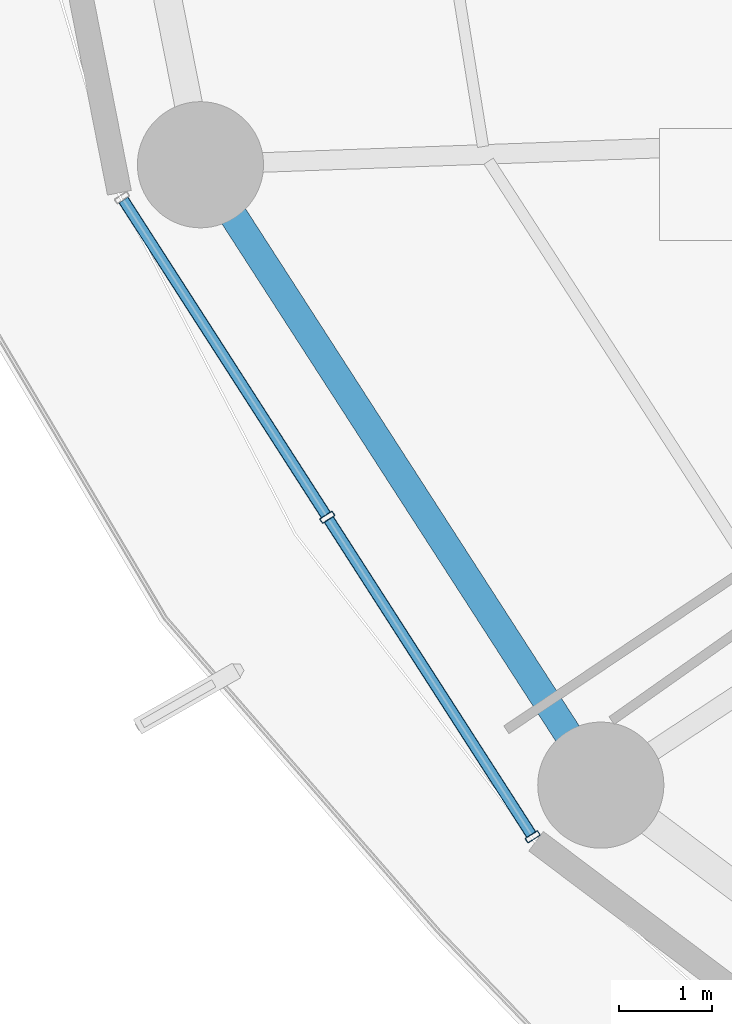
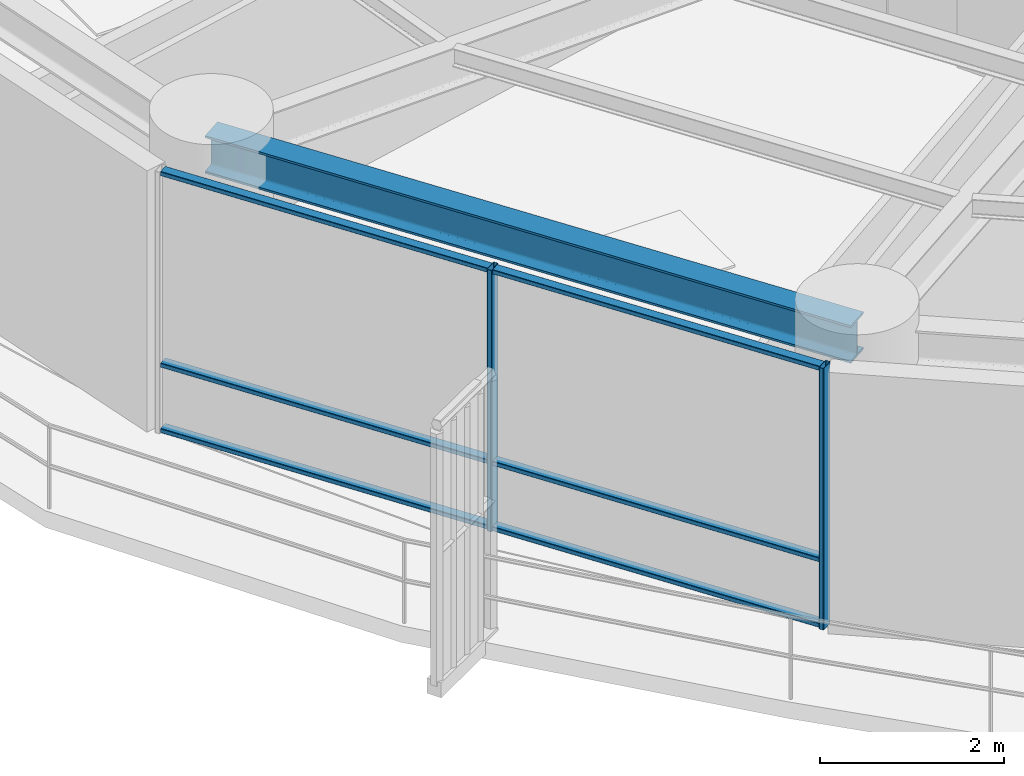
# One storey, part 2 of 35: 8 members, 1 beam, 1 element without a shape of its own.
"""IFC4 building model written with IfcOpenShell, lengths in metres."""

from ifc_helpers import new_model, si_unit, direction, frame, origin, origin_2d, place, context, subcontext, project, spatial, hollow_rectangle, i_section, extrude, material, layer, layer_set, material_profile, profile_set, type_object, element, aggregate, save


model = new_model("IFC4")

# Units and contexts
model_context = context("Model", 3, precision=1e-05, world=origin(), true_north=direction((0.0, 1.0)))
body_context = subcontext(model_context, "Body", "Model", "MODEL_VIEW")
ifc_project = project(units=[si_unit("LENGTHUNIT", "METRE"), si_unit("AREAUNIT", "SQUARE_METRE"), si_unit("VOLUMEUNIT", "CUBIC_METRE"), si_unit("PLANEANGLEUNIT", "RADIAN"), si_unit("MASSUNIT", "GRAM", prefix="KILO")], contexts=[model_context])

# Site, building, storey
site_placement = place(None, origin())
site = spatial("IfcSite", under=ifc_project, at=site_placement, CompositionType="ELEMENT")
building_placement = place(site_placement, origin())
building = spatial("IfcBuilding", under=site, at=building_placement, Name="Kelanora Arch Commons", CompositionType="ELEMENT")
storey_placement = place(building_placement, frame((0.0, 0.0, 95.10009765625)))
storey = spatial("IfcBuildingStorey", under=building, at=storey_placement, Name="L24", CompositionType="ELEMENT", Elevation=95.10009765625)

# Beam
ifc_material_1 = material(Name="Steel S355", Category="steel")
ifc_material_profile_1 = material_profile(ifc_material_1, i_section(OverallWidth=0.300048828125, OverallDepth=0.5, WebThickness=0.014404296875, FlangeThickness=0.028076171875, FilletRadius=0.027099609375, at=origin_2d()), Name="HEB500")
ifc_profile_set_1 = profile_set([ifc_material_profile_1], Name="Steel S355")
beam_type = type_object("IfcBeamType", Name="BM-SPN-Z2", PredefinedType="SPANDREL", material=ifc_profile_set_1)
beam_placement = place(storey_placement, frame((50.808349609375, 50.4482421875, 3.239990234375), z_axis=(0.542221144054, -0.840235818649, 0.0), x_axis=(0.840235818649, 0.542221144054, 0.0)))
element("IfcBeam", 1, at=beam_placement, inside=storey, type_object=beam_type, Name="Perimeter Spandrel Beam BS-20 L24", PredefinedType="SPANDREL", context=body_context, shape_type="SweptSolid", body=[
    extrude(i_section(OverallWidth=0.300048828125, OverallDepth=0.5, WebThickness=0.014404296875, FlangeThickness=0.028076171875, FilletRadius=0.027099609375, at=origin_2d()), origin(), (0.0, 0.0, 1.0), 7.90380859375),
])

# Curtain wall, members
ifc_material_2 = material(Name="Terracotta ceramic-fritted low-E glass and aluminium", Category="masonry")
ifc_layer = layer(ifc_material_2, 0.159912109375)
ifc_layer_set = layer_set([ifc_layer], Name="Terracotta ceramic-fritted low-E glass and aluminium")
curtain_wall_type = type_object("IfcCurtainWallType", Name="CW-SYS-01", PredefinedType="NOTDEFINED", material=ifc_layer_set)
curtain_wall_placement = place(storey_placement, origin())
curtain_wall = element("IfcCurtainWall", 2, at=curtain_wall_placement, inside=storey, type_object=curtain_wall_type, Name="Unitised Curtain Wall L24-B10", PredefinedType="NOTDEFINED")
ifc_material_3 = material(Name="Powder-coated aluminium terracotta", Category="masonry")
ifc_material_profile_2 = material_profile(ifc_material_3, hollow_rectangle(XDim=0.159912109375, YDim=0.06005859375, WallThickness=0.0048828125, InnerFilletRadius=0.0048828125, OuterFilletRadius=0.010009765625, at=origin_2d()), Name="CWM160x60")
ifc_profile_set_2 = profile_set([ifc_material_profile_2], Name="Powder-coated aluminium terracotta")
member_type_1 = type_object("IfcMemberType", Name="CWM-STD", PredefinedType="MULLION", material=ifc_profile_set_2)
member_1_placement = place(storey_placement, frame((52.16650390625, 46.6748046875, 0.0), z_axis=(0.0, 0.0, 1.0), x_axis=(0.841268883088, 0.540616931244, 0.0)))
member_1 = element("IfcMember", 3, at=member_1_placement, type_object=member_type_1, Name="CW-01 mullion 2", PredefinedType="MULLION", context=body_context, shape_type="SweptSolid", body=[
    extrude(hollow_rectangle(XDim=0.159912109375, YDim=0.06005859375, WallThickness=0.0048828125, InnerFilletRadius=0.0048828125, OuterFilletRadius=0.010009765625, at=origin_2d()), origin(), (0.0, 0.0, 1.0), 3.474853515625),
])
member_2_placement = place(storey_placement, frame((54.364990234375, 43.253662109375, 0.0), z_axis=(0.0, 0.0, 1.0), x_axis=(0.841268883088, 0.540616931244, 0.0)))
member_2 = element("IfcMember", 4, at=member_2_placement, type_object=member_type_1, Name="CW-01 mullion 3", PredefinedType="MULLION", context=body_context, shape_type="SweptSolid", body=[
    extrude(hollow_rectangle(XDim=0.159912109375, YDim=0.06005859375, WallThickness=0.0048828125, InnerFilletRadius=0.0048828125, OuterFilletRadius=0.010009765625, at=origin_2d()), origin(), (0.0, 0.0, 1.0), 3.474853515625),
])
ifc_material_profile_3 = material_profile(ifc_material_3, hollow_rectangle(XDim=0.1201171875, YDim=0.06005859375, WallThickness=0.0048828125, InnerFilletRadius=0.0048828125, OuterFilletRadius=0.010009765625, at=origin_2d()), Name="CWT120x60")
ifc_profile_set_3 = profile_set([ifc_material_profile_3], Name="Powder-coated aluminium terracotta")
member_type_2 = type_object("IfcMemberType", Name="CWT-STD", PredefinedType="USERDEFINED", material=ifc_profile_set_3)
member_3_placement = place(storey_placement, frame((49.984375, 50.0703125, 0.02978515625), z_axis=(0.540643629734, -0.841251725483, 0.0), x_axis=(0.841251725483, 0.540643629734, 0.0)))
member_3 = element("IfcMember", 5, at=member_3_placement, type_object=member_type_2, Name="CW-01 transom 1.1", ObjectType="TRANSOM", PredefinedType="USERDEFINED", context=body_context, shape_type="SweptSolid", body=[
    extrude(hollow_rectangle(XDim=0.1201171875, YDim=0.06005859375, WallThickness=0.0048828125, InnerFilletRadius=0.0048828125, OuterFilletRadius=0.010009765625, at=origin_2d()), origin(), (0.0, 0.0, 1.0), 4.00634765625),
])
member_4_placement = place(storey_placement, frame((49.984375, 50.0703125, 0.89990234375), z_axis=(0.540643629734, -0.841251725483, 0.0), x_axis=(0.841251725483, 0.540643629734, 0.0)))
member_4 = element("IfcMember", 6, at=member_4_placement, type_object=member_type_2, Name="CW-01 transom 1.2", ObjectType="TRANSOM", PredefinedType="USERDEFINED", context=body_context, shape_type="SweptSolid", body=[
    extrude(hollow_rectangle(XDim=0.1201171875, YDim=0.06005859375, WallThickness=0.0048828125, InnerFilletRadius=0.0048828125, OuterFilletRadius=0.010009765625, at=origin_2d()), origin(), (0.0, 0.0, 1.0), 4.00634765625),
])
member_5_placement = place(storey_placement, frame((49.984375, 50.0703125, 3.44482421875), z_axis=(0.540643629734, -0.841251725483, 0.0), x_axis=(0.841251725483, 0.540643629734, 0.0)))
member_5 = element("IfcMember", 7, at=member_5_placement, type_object=member_type_2, Name="CW-01 transom 1.3", ObjectType="TRANSOM", PredefinedType="USERDEFINED", context=body_context, shape_type="SweptSolid", body=[
    extrude(hollow_rectangle(XDim=0.1201171875, YDim=0.06005859375, WallThickness=0.0048828125, InnerFilletRadius=0.0048828125, OuterFilletRadius=0.010009765625, at=origin_2d()), origin(), (0.0, 0.0, 1.0), 4.00634765625),
])
member_6_placement = place(storey_placement, frame((52.182861328125, 46.6494140625, 0.02978515625), z_axis=(0.540643629734, -0.841251725483, 0.0), x_axis=(0.841251725483, 0.540643629734, 0.0)))
member_6 = element("IfcMember", 8, at=member_6_placement, type_object=member_type_2, Name="CW-01 transom 2.1", ObjectType="TRANSOM", PredefinedType="USERDEFINED", context=body_context, shape_type="SweptSolid", body=[
    extrude(hollow_rectangle(XDim=0.1201171875, YDim=0.06005859375, WallThickness=0.0048828125, InnerFilletRadius=0.0048828125, OuterFilletRadius=0.010009765625, at=origin_2d()), origin(), (0.0, 0.0, 1.0), 4.00634765625),
])
member_7_placement = place(storey_placement, frame((52.182861328125, 46.6494140625, 0.89990234375), z_axis=(0.540643629734, -0.841251725483, 0.0), x_axis=(0.841251725483, 0.540643629734, 0.0)))
member_7 = element("IfcMember", 9, at=member_7_placement, type_object=member_type_2, Name="CW-01 transom 2.2", ObjectType="TRANSOM", PredefinedType="USERDEFINED", context=body_context, shape_type="SweptSolid", body=[
    extrude(hollow_rectangle(XDim=0.1201171875, YDim=0.06005859375, WallThickness=0.0048828125, InnerFilletRadius=0.0048828125, OuterFilletRadius=0.010009765625, at=origin_2d()), origin(), (0.0, 0.0, 1.0), 4.00634765625),
])
member_8_placement = place(storey_placement, frame((52.182861328125, 46.6494140625, 3.44482421875), z_axis=(0.540643629734, -0.841251725483, 0.0), x_axis=(0.841251725483, 0.540643629734, 0.0)))
member_8 = element("IfcMember", 10, at=member_8_placement, type_object=member_type_2, Name="CW-01 transom 2.3", ObjectType="TRANSOM", PredefinedType="USERDEFINED", context=body_context, shape_type="SweptSolid", body=[
    extrude(hollow_rectangle(XDim=0.1201171875, YDim=0.06005859375, WallThickness=0.0048828125, InnerFilletRadius=0.0048828125, OuterFilletRadius=0.010009765625, at=origin_2d()), origin(), (0.0, 0.0, 1.0), 4.00634765625),
])
aggregate(curtain_wall, [member_1, member_2, member_3, member_4, member_5, member_6, member_7, member_8])

save(model, "model.ifc")
